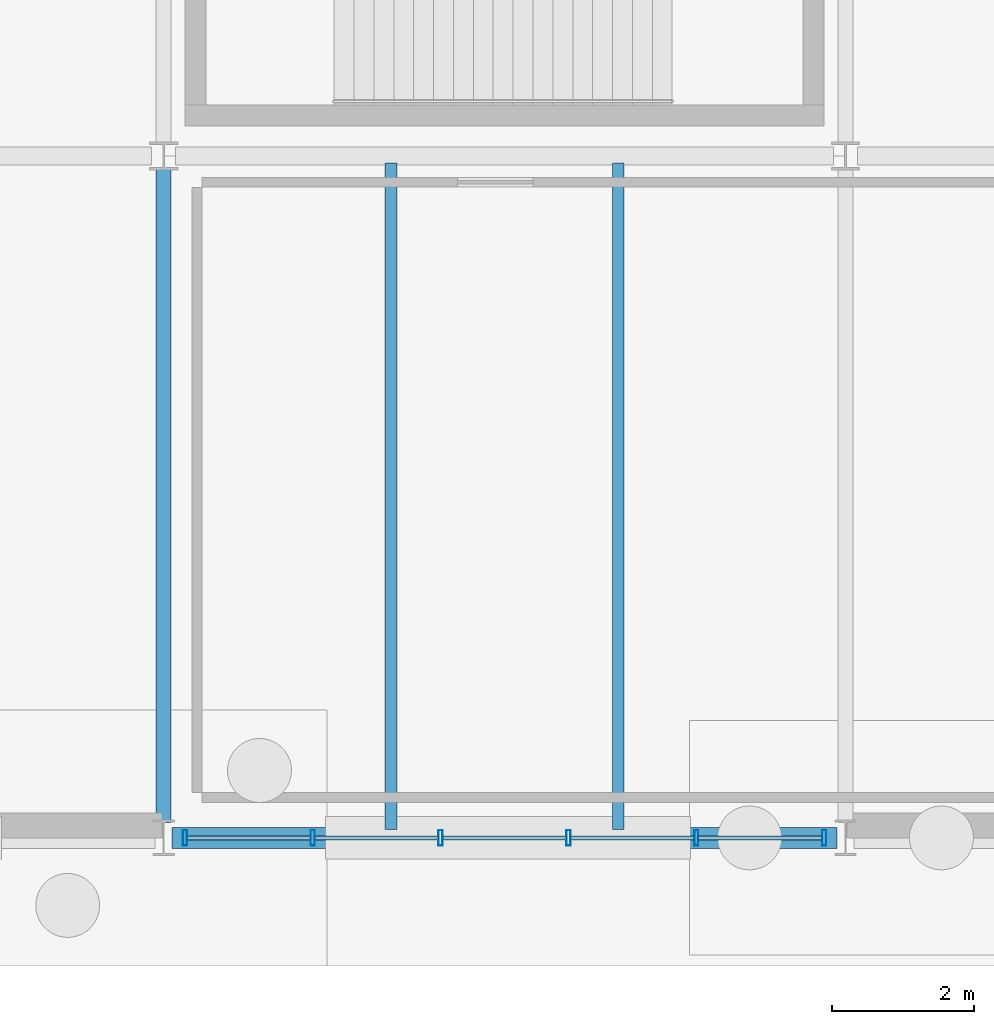
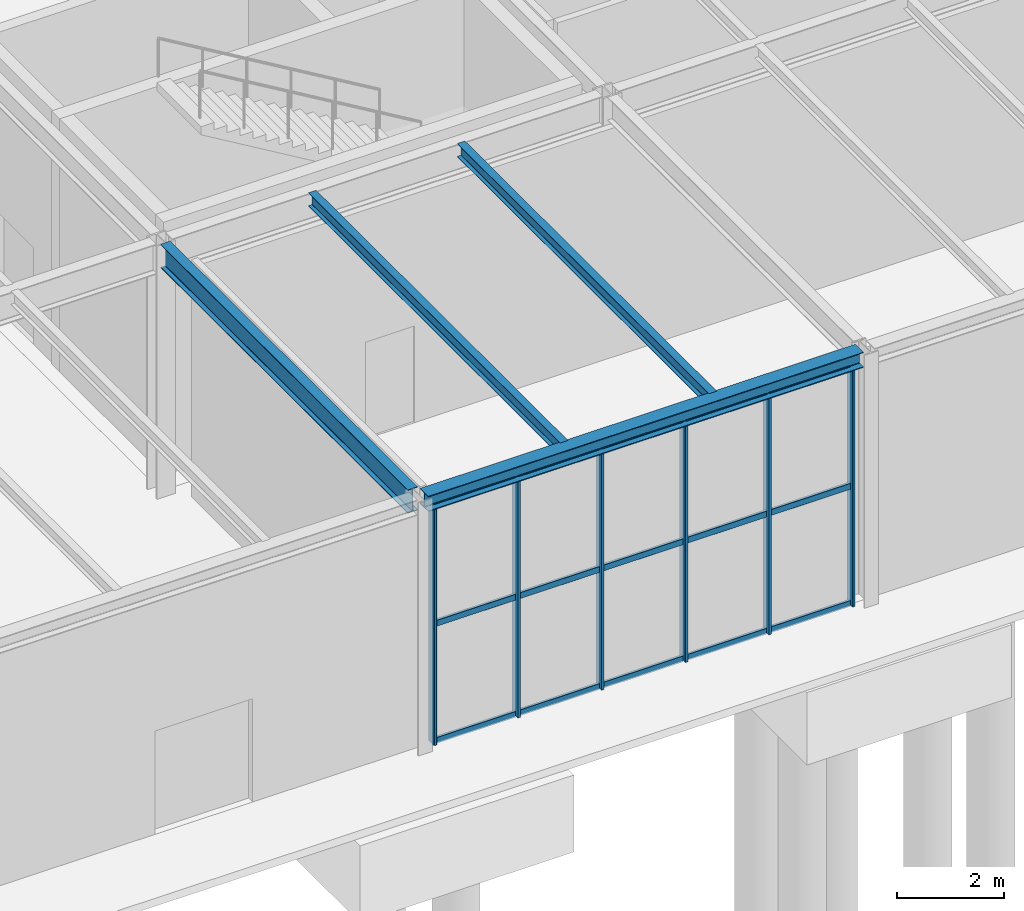
# One storey, part 41 of 142: 21 members, 4 beams, 1 element without a shape of its own.
"""IFC4 building model written with IfcOpenShell, lengths in metres."""

from ifc_helpers import new_model, si_unit, direction, frame, origin, origin_2d, place, context, subcontext, project, spatial, hollow_rectangle, i_section, extrude, material, material_profile, profile_set, type_object, element, aggregate, save


model = new_model("IFC4")

# Units and contexts
model_context = context("Model", 3, precision=1e-05, world=origin(), true_north=direction((0.0, 1.0)))
body_context = subcontext(model_context, "Body", "Model", "MODEL_VIEW")
ifc_project = project(units=[si_unit("LENGTHUNIT", "METRE"), si_unit("AREAUNIT", "SQUARE_METRE"), si_unit("VOLUMEUNIT", "CUBIC_METRE"), si_unit("PLANEANGLEUNIT", "RADIAN"), si_unit("MASSUNIT", "GRAM", prefix="KILO")], contexts=[model_context])

# Site, building, storey
site_placement = place(None, origin())
site = spatial("IfcSite", under=ifc_project, at=site_placement, CompositionType="ELEMENT")
building_placement = place(site_placement, origin())
building = spatial("IfcBuilding", under=site, at=building_placement, Name="Coralgate Yard Interchange", CompositionType="ELEMENT")
storey_placement = place(building_placement, origin())
storey = spatial("IfcBuildingStorey", under=building, at=storey_placement, Name="L00", CompositionType="ELEMENT", Elevation=0.0)

# Beams
ifc_material_1 = material(Name="Structural steel S355J2", Category="steel")
ifc_material_profile_1 = material_profile(ifc_material_1, i_section(OverallWidth=0.209228515625, OverallDepth=0.533203125, WebThickness=0.010009765625, FlangeThickness=0.015625, FilletRadius=0.0126953125, at=origin_2d()), Name="UB 533x210x92")
ifc_profile_set_1 = profile_set([ifc_material_profile_1], Name="Structural steel S355J2")
beam_type_1 = type_object("IfcBeamType", Name="BM-SB-1", PredefinedType="BEAM", material=ifc_profile_set_1)
beam_1_placement = place(storey_placement, frame((48.0, 0.219970703125, 5.4833984375), z_axis=(0.0, 1.0, 0.0), x_axis=(-1.0, 0.0, 0.0)))
element("IfcBeam", 1, at=beam_1_placement, inside=storey, type_object=beam_type_1, Name="L00 primary grid girder X5 Y0-1", PredefinedType="BEAM", context=body_context, shape_type="SweptSolid", body=[
    extrude(i_section(OverallWidth=0.209228515625, OverallDepth=0.533203125, WebThickness=0.010009765625, FlangeThickness=0.015625, FilletRadius=0.0126953125, at=origin_2d()), origin(), (0.0, 0.0, 1.0), 9.213134765625),
])
ifc_material_profile_2 = material_profile(ifc_material_1, i_section(OverallWidth=0.1650390625, OverallDepth=0.303466796875, WebThickness=0.006103515625, FlangeThickness=0.01025390625, FilletRadius=0.0087890625, at=origin_2d()), Name="UB 305x165x40")
ifc_profile_set_2 = profile_set([ifc_material_profile_2], Name="Structural steel S355J2")
beam_type_2 = type_object("IfcBeamType", Name="BM-SJ-1", PredefinedType="JOIST", material=ifc_profile_set_2)
for number, where, z_axis, x_axis, name in (
    (2, (51.199951171875, 0.1201171875, 5.598388671875), (0.0, 1.0, 0.0), (-1.0, 0.0, 0.0), "L00 composite floor joist 5-0-1"),
    (3, (54.39990234375, 0.1201171875, 5.598388671875), (0.0, 1.0, 0.0), (-1.0, 0.0, 0.0), "L00 composite floor joist 5-0-2"),
):
    element("IfcBeam", number, at=place(storey_placement, frame(where, z_axis=z_axis, x_axis=x_axis)), inside=storey, type_object=beam_type_2, Name=name, PredefinedType="JOIST", context=body_context, shape_type="SweptSolid", body=[
        extrude(i_section(OverallWidth=0.1650390625, OverallDepth=0.303466796875, WebThickness=0.006103515625, FlangeThickness=0.01025390625, FilletRadius=0.0087890625, at=origin_2d()), origin(), (0.0, 0.0, 1.0), 9.383056640625),
    ])
ifc_material_profile_3 = material_profile(ifc_material_1, i_section(OverallWidth=0.300048828125, OverallDepth=0.35009765625, WebThickness=0.010009765625, FlangeThickness=0.017578125, FilletRadius=0.027099609375, at=origin_2d()), Name="HEA 360")
ifc_profile_set_3 = profile_set([ifc_material_profile_3], Name="Structural steel S355J2")
beam_type_3 = type_object("IfcBeamType", Name="BM-SP-1", PredefinedType="SPANDREL", material=ifc_profile_set_3)
beam_2_placement = place(storey_placement, frame((48.1201171875, 0.0, 5.574951171875), z_axis=(1.0, 0.0, 0.0), x_axis=(0.0, 1.0, 0.0)))
element("IfcBeam", 4, at=beam_2_placement, inside=storey, type_object=beam_type_3, Name="L00 primary grid beam Y0 X5-6", PredefinedType="SPANDREL", context=body_context, shape_type="SweptSolid", body=[
    extrude(i_section(OverallWidth=0.300048828125, OverallDepth=0.35009765625, WebThickness=0.010009765625, FlangeThickness=0.017578125, FilletRadius=0.027099609375, at=origin_2d()), origin(), (0.0, 0.0, 1.0), 9.35986328125),
])

# Curtain wall, members
ifc_material_2 = material(Name="Anodised coastal aluminium and solar-control low-E glass", Category="aluminium")
curtain_wall_type = type_object("IfcCurtainWallType", Name="CW-CW-L00-A", PredefinedType="NOTDEFINED", material=ifc_material_2)
curtain_wall_placement = place(storey_placement, origin())
curtain_wall = element("IfcCurtainWall", 5, at=curtain_wall_placement, inside=storey, type_object=curtain_wall_type, Name="L00 unitised curtain wall CW-L00-S-05-00", PredefinedType="NOTDEFINED")
ifc_material_3 = material(Name="Anodised coastal aluminium 6063-T6", Category="aluminium")
ifc_material_profile_4 = material_profile(ifc_material_3, hollow_rectangle(XDim=0.06005859375, YDim=0.219970703125, WallThickness=0.00390625, InnerFilletRadius=0.00390625, OuterFilletRadius=0.008056640625, at=origin_2d()), Name="ALU 60x220x4")
ifc_profile_set_4 = profile_set([ifc_material_profile_4], Name="Anodised coastal aluminium 6063-T6")
member_type_1 = type_object("IfcMemberType", Name="MB-MUL-220", PredefinedType="MULLION", material=ifc_profile_set_4)
member_1_placement = place(storey_placement, frame((57.300048828125, 0.0, 0.0), z_axis=(0.0, 0.0, 1.0), x_axis=(1.0, 0.0, 0.0)))
member_1 = element("IfcMember", 6, at=member_1_placement, type_object=member_type_1, Name="CW-L00-S-05-00 vertical mullion 1", PredefinedType="MULLION", context=body_context, shape_type="SweptSolid", body=[
    extrude(hollow_rectangle(XDim=0.06005859375, YDim=0.219970703125, WallThickness=0.00390625, InnerFilletRadius=0.00390625, OuterFilletRadius=0.008056640625, at=origin_2d()), origin(), (0.0, 0.0, 1.0), 5.39990234375),
])
member_2_placement = place(storey_placement, frame((55.5, 0.0, 0.0), z_axis=(0.0, 0.0, 1.0), x_axis=(1.0, 0.0, 0.0)))
member_2 = element("IfcMember", 7, at=member_2_placement, type_object=member_type_1, Name="CW-L00-S-05-00 vertical mullion 2", PredefinedType="MULLION", context=body_context, shape_type="SweptSolid", body=[
    extrude(hollow_rectangle(XDim=0.06005859375, YDim=0.219970703125, WallThickness=0.00390625, InnerFilletRadius=0.00390625, OuterFilletRadius=0.008056640625, at=origin_2d()), origin(), (0.0, 0.0, 1.0), 5.39990234375),
])
member_3_placement = place(storey_placement, frame((53.699951171875, 0.0, 0.0), z_axis=(0.0, 0.0, 1.0), x_axis=(1.0, 0.0, 0.0)))
member_3 = element("IfcMember", 8, at=member_3_placement, type_object=member_type_1, Name="CW-L00-S-05-00 vertical mullion 3", PredefinedType="MULLION", context=body_context, shape_type="SweptSolid", body=[
    extrude(hollow_rectangle(XDim=0.06005859375, YDim=0.219970703125, WallThickness=0.00390625, InnerFilletRadius=0.00390625, OuterFilletRadius=0.008056640625, at=origin_2d()), origin(), (0.0, 0.0, 1.0), 5.39990234375),
])
member_4_placement = place(storey_placement, frame((51.89990234375, 0.0, 0.0), z_axis=(0.0, 0.0, 1.0), x_axis=(1.0, 0.0, 0.0)))
member_4 = element("IfcMember", 9, at=member_4_placement, type_object=member_type_1, Name="CW-L00-S-05-00 vertical mullion 4", PredefinedType="MULLION", context=body_context, shape_type="SweptSolid", body=[
    extrude(hollow_rectangle(XDim=0.06005859375, YDim=0.219970703125, WallThickness=0.00390625, InnerFilletRadius=0.00390625, OuterFilletRadius=0.008056640625, at=origin_2d()), origin(), (0.0, 0.0, 1.0), 5.39990234375),
])
member_5_placement = place(storey_placement, frame((50.10009765625, 0.0, 0.0), z_axis=(0.0, 0.0, 1.0), x_axis=(1.0, 0.0, 0.0)))
member_5 = element("IfcMember", 10, at=member_5_placement, type_object=member_type_1, Name="CW-L00-S-05-00 vertical mullion 5", PredefinedType="MULLION", context=body_context, shape_type="SweptSolid", body=[
    extrude(hollow_rectangle(XDim=0.06005859375, YDim=0.219970703125, WallThickness=0.00390625, InnerFilletRadius=0.00390625, OuterFilletRadius=0.008056640625, at=origin_2d()), origin(), (0.0, 0.0, 1.0), 5.39990234375),
])
member_6_placement = place(storey_placement, frame((48.300048828125, 0.0, 0.0), z_axis=(0.0, 0.0, 1.0), x_axis=(1.0, 0.0, 0.0)))
member_6 = element("IfcMember", 11, at=member_6_placement, type_object=member_type_1, Name="CW-L00-S-05-00 vertical mullion 6", PredefinedType="MULLION", context=body_context, shape_type="SweptSolid", body=[
    extrude(hollow_rectangle(XDim=0.06005859375, YDim=0.219970703125, WallThickness=0.00390625, InnerFilletRadius=0.00390625, OuterFilletRadius=0.008056640625, at=origin_2d()), origin(), (0.0, 0.0, 1.0), 5.39990234375),
])
ifc_material_profile_5 = material_profile(ifc_material_3, hollow_rectangle(XDim=0.06005859375, YDim=0.139892578125, WallThickness=0.00341796875, InnerFilletRadius=0.00341796875, OuterFilletRadius=0.007080078125, at=origin_2d()), Name="ALU 60x140x3.5")
ifc_profile_set_5 = profile_set([ifc_material_profile_5], Name="Anodised coastal aluminium 6063-T6")
member_type_2 = type_object("IfcMemberType", Name="MB-TRN-140", PredefinedType="USERDEFINED", material=ifc_profile_set_5)
member_7_placement = place(storey_placement, frame((57.27001953125, 0.0, 0.034912109375), z_axis=(-1.0, 0.0, 0.0), x_axis=(0.0, -1.0, 0.0)))
member_7 = element("IfcMember", 12, at=member_7_placement, type_object=member_type_2, Name="CW-L00-S-05-00 horizontal transom 1-1", ObjectType="TRANSOM", PredefinedType="USERDEFINED", context=body_context, shape_type="SweptSolid", body=[
    extrude(hollow_rectangle(XDim=0.06005859375, YDim=0.139892578125, WallThickness=0.00341796875, InnerFilletRadius=0.00341796875, OuterFilletRadius=0.007080078125, at=origin_2d()), origin(), (0.0, 0.0, 1.0), 1.739990234375),
])
member_8_placement = place(storey_placement, frame((57.27001953125, 0.0, 2.699951171875), z_axis=(-1.0, 0.0, 0.0), x_axis=(0.0, -1.0, 0.0)))
member_8 = element("IfcMember", 13, at=member_8_placement, type_object=member_type_2, Name="CW-L00-S-05-00 horizontal transom 1-2", ObjectType="TRANSOM", PredefinedType="USERDEFINED", context=body_context, shape_type="SweptSolid", body=[
    extrude(hollow_rectangle(XDim=0.06005859375, YDim=0.139892578125, WallThickness=0.00341796875, InnerFilletRadius=0.00341796875, OuterFilletRadius=0.007080078125, at=origin_2d()), origin(), (0.0, 0.0, 1.0), 1.739990234375),
])
member_9_placement = place(storey_placement, frame((57.27001953125, 0.0, 5.364990234375), z_axis=(-1.0, 0.0, 0.0), x_axis=(0.0, -1.0, 0.0)))
member_9 = element("IfcMember", 14, at=member_9_placement, type_object=member_type_2, Name="CW-L00-S-05-00 horizontal transom 1-3", ObjectType="TRANSOM", PredefinedType="USERDEFINED", context=body_context, shape_type="SweptSolid", body=[
    extrude(hollow_rectangle(XDim=0.06005859375, YDim=0.139892578125, WallThickness=0.00341796875, InnerFilletRadius=0.00341796875, OuterFilletRadius=0.007080078125, at=origin_2d()), origin(), (0.0, 0.0, 1.0), 1.739990234375),
])
member_10_placement = place(storey_placement, frame((55.469970703125, 0.0, 0.034912109375), z_axis=(-1.0, 0.0, 0.0), x_axis=(0.0, -1.0, 0.0)))
member_10 = element("IfcMember", 15, at=member_10_placement, type_object=member_type_2, Name="CW-L00-S-05-00 horizontal transom 2-1", ObjectType="TRANSOM", PredefinedType="USERDEFINED", context=body_context, shape_type="SweptSolid", body=[
    extrude(hollow_rectangle(XDim=0.06005859375, YDim=0.139892578125, WallThickness=0.00341796875, InnerFilletRadius=0.00341796875, OuterFilletRadius=0.007080078125, at=origin_2d()), origin(), (0.0, 0.0, 1.0), 1.739990234375),
])
member_11_placement = place(storey_placement, frame((55.469970703125, 0.0, 2.699951171875), z_axis=(-1.0, 0.0, 0.0), x_axis=(0.0, -1.0, 0.0)))
member_11 = element("IfcMember", 16, at=member_11_placement, type_object=member_type_2, Name="CW-L00-S-05-00 horizontal transom 2-2", ObjectType="TRANSOM", PredefinedType="USERDEFINED", context=body_context, shape_type="SweptSolid", body=[
    extrude(hollow_rectangle(XDim=0.06005859375, YDim=0.139892578125, WallThickness=0.00341796875, InnerFilletRadius=0.00341796875, OuterFilletRadius=0.007080078125, at=origin_2d()), origin(), (0.0, 0.0, 1.0), 1.739990234375),
])
member_12_placement = place(storey_placement, frame((55.469970703125, 0.0, 5.364990234375), z_axis=(-1.0, 0.0, 0.0), x_axis=(0.0, -1.0, 0.0)))
member_12 = element("IfcMember", 17, at=member_12_placement, type_object=member_type_2, Name="CW-L00-S-05-00 horizontal transom 2-3", ObjectType="TRANSOM", PredefinedType="USERDEFINED", context=body_context, shape_type="SweptSolid", body=[
    extrude(hollow_rectangle(XDim=0.06005859375, YDim=0.139892578125, WallThickness=0.00341796875, InnerFilletRadius=0.00341796875, OuterFilletRadius=0.007080078125, at=origin_2d()), origin(), (0.0, 0.0, 1.0), 1.739990234375),
])
member_13_placement = place(storey_placement, frame((53.669921875, 0.0, 0.034912109375), z_axis=(-1.0, 0.0, 0.0), x_axis=(0.0, -1.0, 0.0)))
member_13 = element("IfcMember", 18, at=member_13_placement, type_object=member_type_2, Name="CW-L00-S-05-00 horizontal transom 3-1", ObjectType="TRANSOM", PredefinedType="USERDEFINED", context=body_context, shape_type="SweptSolid", body=[
    extrude(hollow_rectangle(XDim=0.06005859375, YDim=0.139892578125, WallThickness=0.00341796875, InnerFilletRadius=0.00341796875, OuterFilletRadius=0.007080078125, at=origin_2d()), origin(), (0.0, 0.0, 1.0), 1.739990234375),
])
member_14_placement = place(storey_placement, frame((53.669921875, 0.0, 2.699951171875), z_axis=(-1.0, 0.0, 0.0), x_axis=(0.0, -1.0, 0.0)))
member_14 = element("IfcMember", 19, at=member_14_placement, type_object=member_type_2, Name="CW-L00-S-05-00 horizontal transom 3-2", ObjectType="TRANSOM", PredefinedType="USERDEFINED", context=body_context, shape_type="SweptSolid", body=[
    extrude(hollow_rectangle(XDim=0.06005859375, YDim=0.139892578125, WallThickness=0.00341796875, InnerFilletRadius=0.00341796875, OuterFilletRadius=0.007080078125, at=origin_2d()), origin(), (0.0, 0.0, 1.0), 1.739990234375),
])
member_15_placement = place(storey_placement, frame((53.669921875, 0.0, 5.364990234375), z_axis=(-1.0, 0.0, 0.0), x_axis=(0.0, -1.0, 0.0)))
member_15 = element("IfcMember", 20, at=member_15_placement, type_object=member_type_2, Name="CW-L00-S-05-00 horizontal transom 3-3", ObjectType="TRANSOM", PredefinedType="USERDEFINED", context=body_context, shape_type="SweptSolid", body=[
    extrude(hollow_rectangle(XDim=0.06005859375, YDim=0.139892578125, WallThickness=0.00341796875, InnerFilletRadius=0.00341796875, OuterFilletRadius=0.007080078125, at=origin_2d()), origin(), (0.0, 0.0, 1.0), 1.739990234375),
])
member_16_placement = place(storey_placement, frame((51.8701171875, 0.0, 0.034912109375), z_axis=(-1.0, 0.0, 0.0), x_axis=(0.0, -1.0, 0.0)))
member_16 = element("IfcMember", 21, at=member_16_placement, type_object=member_type_2, Name="CW-L00-S-05-00 horizontal transom 4-1", ObjectType="TRANSOM", PredefinedType="USERDEFINED", context=body_context, shape_type="SweptSolid", body=[
    extrude(hollow_rectangle(XDim=0.06005859375, YDim=0.139892578125, WallThickness=0.00341796875, InnerFilletRadius=0.00341796875, OuterFilletRadius=0.007080078125, at=origin_2d()), origin(), (0.0, 0.0, 1.0), 1.740234375),
])
member_17_placement = place(storey_placement, frame((51.8701171875, 0.0, 2.699951171875), z_axis=(-1.0, 0.0, 0.0), x_axis=(0.0, -1.0, 0.0)))
member_17 = element("IfcMember", 22, at=member_17_placement, type_object=member_type_2, Name="CW-L00-S-05-00 horizontal transom 4-2", ObjectType="TRANSOM", PredefinedType="USERDEFINED", context=body_context, shape_type="SweptSolid", body=[
    extrude(hollow_rectangle(XDim=0.06005859375, YDim=0.139892578125, WallThickness=0.00341796875, InnerFilletRadius=0.00341796875, OuterFilletRadius=0.007080078125, at=origin_2d()), origin(), (0.0, 0.0, 1.0), 1.740234375),
])
member_18_placement = place(storey_placement, frame((51.8701171875, 0.0, 5.364990234375), z_axis=(-1.0, 0.0, 0.0), x_axis=(0.0, -1.0, 0.0)))
member_18 = element("IfcMember", 23, at=member_18_placement, type_object=member_type_2, Name="CW-L00-S-05-00 horizontal transom 4-3", ObjectType="TRANSOM", PredefinedType="USERDEFINED", context=body_context, shape_type="SweptSolid", body=[
    extrude(hollow_rectangle(XDim=0.06005859375, YDim=0.139892578125, WallThickness=0.00341796875, InnerFilletRadius=0.00341796875, OuterFilletRadius=0.007080078125, at=origin_2d()), origin(), (0.0, 0.0, 1.0), 1.740234375),
])
member_19_placement = place(storey_placement, frame((50.070068359375, 0.0, 0.034912109375), z_axis=(-1.0, 0.0, 0.0), x_axis=(0.0, -1.0, 0.0)))
member_19 = element("IfcMember", 24, at=member_19_placement, type_object=member_type_2, Name="CW-L00-S-05-00 horizontal transom 5-1", ObjectType="TRANSOM", PredefinedType="USERDEFINED", context=body_context, shape_type="SweptSolid", body=[
    extrude(hollow_rectangle(XDim=0.06005859375, YDim=0.139892578125, WallThickness=0.00341796875, InnerFilletRadius=0.00341796875, OuterFilletRadius=0.007080078125, at=origin_2d()), origin(), (0.0, 0.0, 1.0), 1.739990234375),
])
member_20_placement = place(storey_placement, frame((50.070068359375, 0.0, 2.699951171875), z_axis=(-1.0, 0.0, 0.0), x_axis=(0.0, -1.0, 0.0)))
member_20 = element("IfcMember", 25, at=member_20_placement, type_object=member_type_2, Name="CW-L00-S-05-00 horizontal transom 5-2", ObjectType="TRANSOM", PredefinedType="USERDEFINED", context=body_context, shape_type="SweptSolid", body=[
    extrude(hollow_rectangle(XDim=0.06005859375, YDim=0.139892578125, WallThickness=0.00341796875, InnerFilletRadius=0.00341796875, OuterFilletRadius=0.007080078125, at=origin_2d()), origin(), (0.0, 0.0, 1.0), 1.739990234375),
])
member_21_placement = place(storey_placement, frame((50.070068359375, 0.0, 5.364990234375), z_axis=(-1.0, 0.0, 0.0), x_axis=(0.0, -1.0, 0.0)))
member_21 = element("IfcMember", 26, at=member_21_placement, type_object=member_type_2, Name="CW-L00-S-05-00 horizontal transom 5-3", ObjectType="TRANSOM", PredefinedType="USERDEFINED", context=body_context, shape_type="SweptSolid", body=[
    extrude(hollow_rectangle(XDim=0.06005859375, YDim=0.139892578125, WallThickness=0.00341796875, InnerFilletRadius=0.00341796875, OuterFilletRadius=0.007080078125, at=origin_2d()), origin(), (0.0, 0.0, 1.0), 1.739990234375),
])
aggregate(curtain_wall, [member_1, member_2, member_3, member_4, member_5, member_6, member_7, member_8, member_9, member_10, member_11, member_12, member_13, member_14, member_15, member_16, member_17, member_18, member_19, member_20, member_21])

save(model, "model.ifc")
